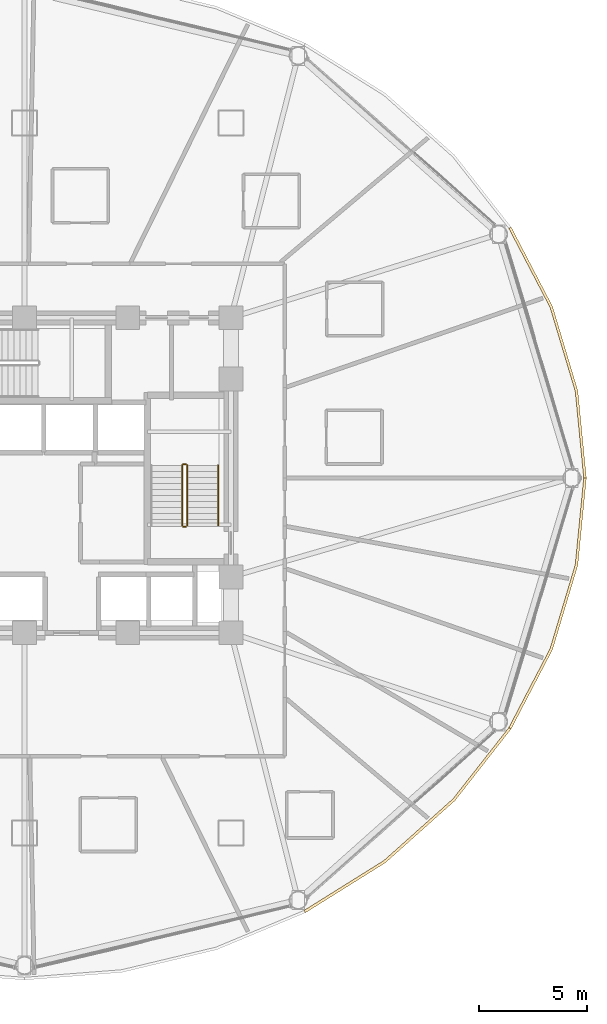
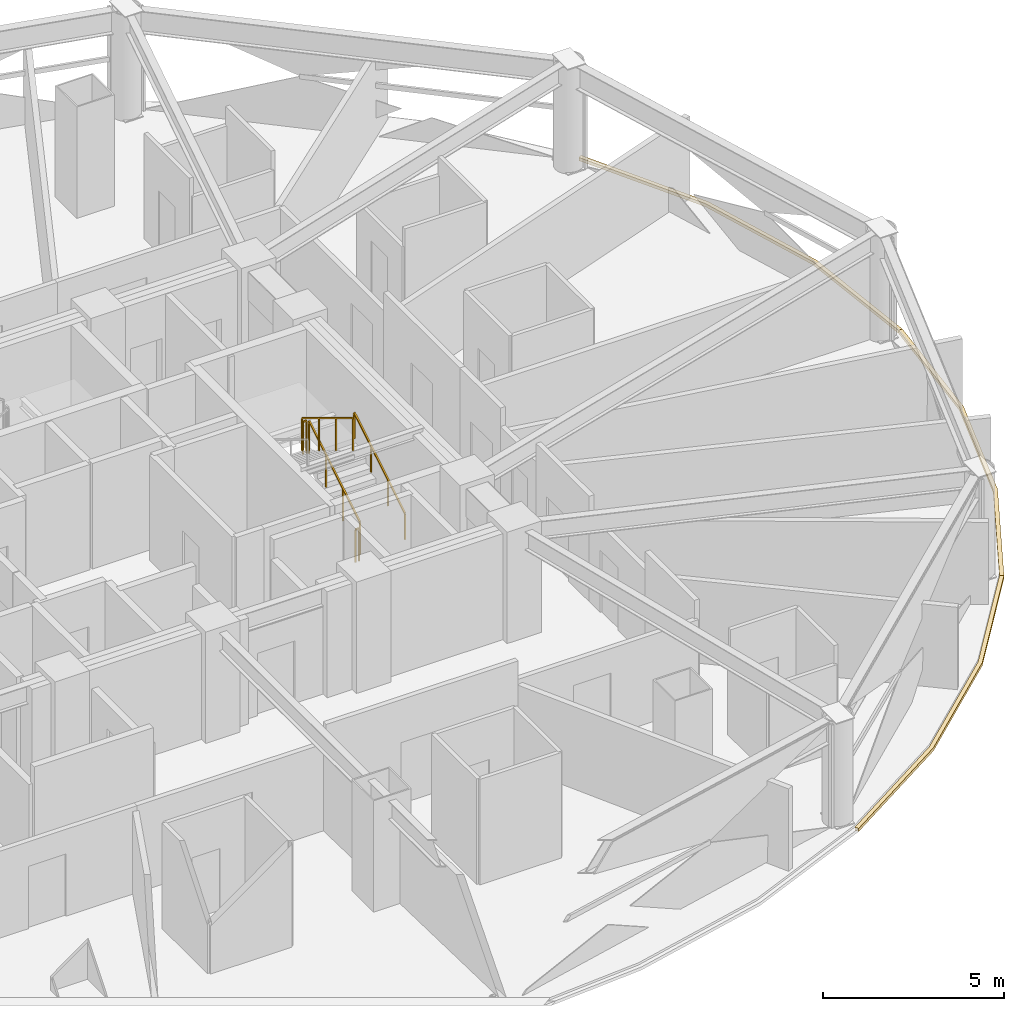
# One storey, part 30 of 31: 5 railings, 3 coverings.
"""IFC4 building model written with IfcOpenShell, lengths in metres."""

from ifc_helpers import new_model, si_unit, direction, frame, origin, origin_2d, place, context, subcontext, project, spatial, polyline, rectangle, outline, extrude, material, layer, layer_set, type_object, element, save


model = new_model("IFC4")

# Units and contexts
model_context = context("Model", 3, precision=1e-05, world=origin(), true_north=direction((0.0, 1.0)))
body_context = subcontext(model_context, "Body", "Model", "MODEL_VIEW")
ifc_project = project(units=[si_unit("LENGTHUNIT", "METRE"), si_unit("AREAUNIT", "SQUARE_METRE"), si_unit("VOLUMEUNIT", "CUBIC_METRE"), si_unit("PLANEANGLEUNIT", "RADIAN"), si_unit("MASSUNIT", "GRAM", prefix="KILO")], contexts=[model_context])

# Site, building, storey
site_placement = place(None, origin())
site = spatial("IfcSite", under=ifc_project, at=site_placement, CompositionType="ELEMENT")
building_placement = place(site_placement, origin())
building = spatial("IfcBuilding", under=site, at=building_placement, Name="Vantalir Tower", CompositionType="ELEMENT")
storey_placement = place(building_placement, frame((0.0, 0.0, 30.75)))
storey = spatial("IfcBuildingStorey", under=building, at=storey_placement, Name="L06", CompositionType="ELEMENT", Elevation=30.75)

# Coverings
ifc_material_1 = material(Name="Anodised champagne aluminium sill fascia", Category="aluminium")
ifc_layer = layer(ifc_material_1, 0.125)
ifc_layer_set = layer_set([ifc_layer], Name="Anodised champagne aluminium sill fascia")
covering_type = type_object("IfcCoveringType", Name="COV-SLAB-FASCIA-125", PredefinedType="CLADDING", material=ifc_layer_set)
covering_1_placement = place(storey_placement, frame((0.0, 0.0, -0.179931640625)))
element("IfcCovering", 1, at=covering_1_placement, inside=storey, type_object=covering_type, Name="L06 Perimeter Slab-Edge Sill Fascia 01", PredefinedType="CLADDING", context=body_context, shape_type="SweptSolid", body=[
    extrude(outline(polyline([(57.625, 25.0), (57.22802734375, 29.052978515625), (56.049072265625, 32.98193359375), (54.125, 36.6689453125), (54.01708984375, 36.60693359375), (55.931884765625, 32.93994140625), (57.10498046875, 29.031005859375), (57.5, 25.0), (57.625, 25.0)])), origin(), (0.0, 0.0, 1.0), 0.10498046875),
])
covering_2_placement = place(storey_placement, frame((0.0, 0.0, -0.179931640625)))
element("IfcCovering", 2, at=covering_2_placement, inside=storey, type_object=covering_type, Name="L06 Perimeter Slab-Edge Sill Fascia 11", PredefinedType="CLADDING", context=body_context, shape_type="SweptSolid", body=[
    extrude(outline(polyline([(44.56298828125, 4.7880859375), (48.29296875, 7.12109375), (51.512939453125, 9.998046875), (54.125, 13.330078125), (54.01708984375, 13.39306640625), (51.4169921875, 10.077880859375), (48.2119140625, 7.217041015625), (44.5, 4.89599609375), (44.56298828125, 4.7880859375)])), origin(), (0.0, 0.0, 1.0), 0.10498046875),
])
covering_3_placement = place(storey_placement, frame((0.0, 0.0, -0.179931640625)))
element("IfcCovering", 3, at=covering_3_placement, inside=storey, type_object=covering_type, Name="L06 Perimeter Slab-Edge Sill Fascia 12", PredefinedType="CLADDING", context=body_context, shape_type="SweptSolid", body=[
    extrude(outline(polyline([(54.125, 13.330078125), (56.049072265625, 17.01806640625), (57.22802734375, 20.947021484375), (57.625, 25.0), (57.5, 25.0), (57.10498046875, 20.968994140625), (55.931884765625, 17.06005859375), (54.01708984375, 13.39306640625), (54.125, 13.330078125)])), origin(), (0.0, 0.0, 1.0), 0.10498046875),
])

# Railings
ifc_material_2 = material(Name="Anodised aluminium and stainless steel guard", Category="steel")
railing_type_1 = type_object("IfcRailingType", Name="RAL-GUARD-1120", PredefinedType="GUARDRAIL", material=ifc_material_2)
railing_1_placement = place(storey_placement, frame((39.06005859375, 22.7900390625, 0.17041015625)))
element("IfcRailing", 4, at=railing_1_placement, inside=storey, type_object=railing_type_1, Name="L06 ST2 stair guard 1", PredefinedType="GUARDRAIL", context=body_context, shape_type="SweptSolid", body=[
    extrude(rectangle(XDim=0.048095703125, YDim=0.048095703125, at=origin_2d()), frame((0.0, 0.0, 1.09619140625), z_axis=(0.0, 0.854169791009, 0.51999420009), x_axis=(-1.0, 0.0, 0.0)), (0.0, 0.0, 1.0), 3.278076171875),
    extrude(rectangle(XDim=0.0419921875, YDim=0.0419921875, at=origin_2d()), origin(), (0.0, 0.0, 1.0), 1.072021484375),
    extrude(rectangle(XDim=0.0419921875, YDim=0.0419921875, at=origin_2d()), frame((0.0, 0.933349609375, 0.568115234375)), (0.0, 0.0, 1.0), 1.072021484375),
    extrude(rectangle(XDim=0.0419921875, YDim=0.0419921875, at=origin_2d()), frame((0.0, 1.86669921875, 1.136474609375)), (0.0, 0.0, 1.0), 1.072021484375),
    extrude(rectangle(XDim=0.0419921875, YDim=0.0419921875, at=origin_2d()), frame((0.0, 2.800048828125, 1.70458984375)), (0.0, 0.0, 1.0), 1.072021484375),
])
railing_2_placement = place(storey_placement, frame((39.010009765625, 25.639892578125, 1.875)))
element("IfcRailing", 5, at=railing_2_placement, inside=storey, type_object=railing_type_1, Name="L06 ST2 stair guard 2", PredefinedType="GUARDRAIL", context=body_context, shape_type="SweptSolid", body=[
    extrude(rectangle(XDim=0.048095703125, YDim=0.048095703125, at=origin_2d()), frame((0.0, 0.0, 1.09619140625), z_axis=(-1.0, 0.0, 0.0), x_axis=(0.0, -1.0, 0.0)), (0.0, 0.0, 1.0), 0.1201171875),
    extrude(rectangle(XDim=0.0419921875, YDim=0.0419921875, at=origin_2d()), origin(), (0.0, 0.0, 1.0), 1.072021484375),
    extrude(rectangle(XDim=0.0419921875, YDim=0.0419921875, at=origin_2d()), frame((-0.1201171875, 0.0, 0.0)), (0.0, 0.0, 1.0), 1.072021484375),
])
railing_3_placement = place(storey_placement, frame((38.840087890625, 25.590087890625, 2.04541015625)))
element("IfcRailing", 6, at=railing_3_placement, inside=storey, type_object=railing_type_1, Name="L06 ST2 stair guard 3", PredefinedType="GUARDRAIL", context=body_context, shape_type="SweptSolid", body=[
    extrude(rectangle(XDim=0.048095703125, YDim=0.048095703125, at=origin_2d()), frame((0.0, 0.0, 1.09619140625), z_axis=(0.0, -0.854169791009, 0.51999420009), x_axis=(1.0, 0.0, 0.0)), (0.0, 0.0, 1.0), 3.278076171875),
    extrude(rectangle(XDim=0.0419921875, YDim=0.0419921875, at=origin_2d()), origin(), (0.0, 0.0, 1.0), 1.072021484375),
    extrude(rectangle(XDim=0.0419921875, YDim=0.0419921875, at=origin_2d()), frame((0.0, -0.933349609375, 0.568115234375)), (0.0, 0.0, 1.0), 1.072021484375),
    extrude(rectangle(XDim=0.0419921875, YDim=0.0419921875, at=origin_2d()), frame((0.0, -1.86669921875, 1.136474609375)), (0.0, 0.0, 1.0), 1.072021484375),
    extrude(rectangle(XDim=0.0419921875, YDim=0.0419921875, at=origin_2d()), frame((0.0, -2.800048828125, 1.70458984375)), (0.0, 0.0, 1.0), 1.072021484375),
])
railing_4_placement = place(storey_placement, frame((39.010009765625, 22.739990234375, 0.0)))
element("IfcRailing", 7, at=railing_4_placement, inside=storey, type_object=railing_type_1, Name="L06 ST2 stair guard 4", PredefinedType="GUARDRAIL", context=body_context, shape_type="SweptSolid", body=[
    extrude(rectangle(XDim=0.048095703125, YDim=0.048095703125, at=origin_2d()), frame((0.0, 0.0, 1.09619140625), z_axis=(-1.0, 0.0, 0.0), x_axis=(0.0, -1.0, 0.0)), (0.0, 0.0, 1.0), 0.1201171875),
    extrude(rectangle(XDim=0.0419921875, YDim=0.0419921875, at=origin_2d()), origin(), (0.0, 0.0, 1.0), 1.072021484375),
    extrude(rectangle(XDim=0.0419921875, YDim=0.0419921875, at=origin_2d()), frame((-0.1201171875, 0.0, 0.0)), (0.0, 0.0, 1.0), 1.072021484375),
])
ifc_material_3 = material(Name="Brushed stainless steel tubular handrail", Category="steel")
railing_type_2 = type_object("IfcRailingType", Name="RAL-HANDRAIL-900", PredefinedType="HANDRAIL", material=ifc_material_3)
railing_5_placement = place(storey_placement, frame((40.5, 22.7900390625, 0.17041015625)))
element("IfcRailing", 8, at=railing_5_placement, inside=storey, type_object=railing_type_2, Name="L06 ST2 stair handrail 1", PredefinedType="HANDRAIL", context=body_context, shape_type="SweptSolid", body=[
    extrude(rectangle(XDim=0.048095703125, YDim=0.048095703125, at=origin_2d()), frame((0.0, 0.0, 0.8759765625), z_axis=(0.0, 0.854169791009, 0.51999420009), x_axis=(-1.0, 0.0, 0.0)), (0.0, 0.0, 1.0), 3.278076171875),
    extrude(rectangle(XDim=0.0419921875, YDim=0.0419921875, at=origin_2d()), origin(), (0.0, 0.0, 1.0), 0.851806640625),
    extrude(rectangle(XDim=0.0419921875, YDim=0.0419921875, at=origin_2d()), frame((0.0, 0.933349609375, 0.568115234375)), (0.0, 0.0, 1.0), 0.851806640625),
    extrude(rectangle(XDim=0.0419921875, YDim=0.0419921875, at=origin_2d()), frame((0.0, 1.86669921875, 1.136474609375)), (0.0, 0.0, 1.0), 0.851806640625),
    extrude(rectangle(XDim=0.0419921875, YDim=0.0419921875, at=origin_2d()), frame((0.0, 2.800048828125, 1.70458984375)), (0.0, 0.0, 1.0), 0.851806640625),
])

save(model, "model.ifc")
